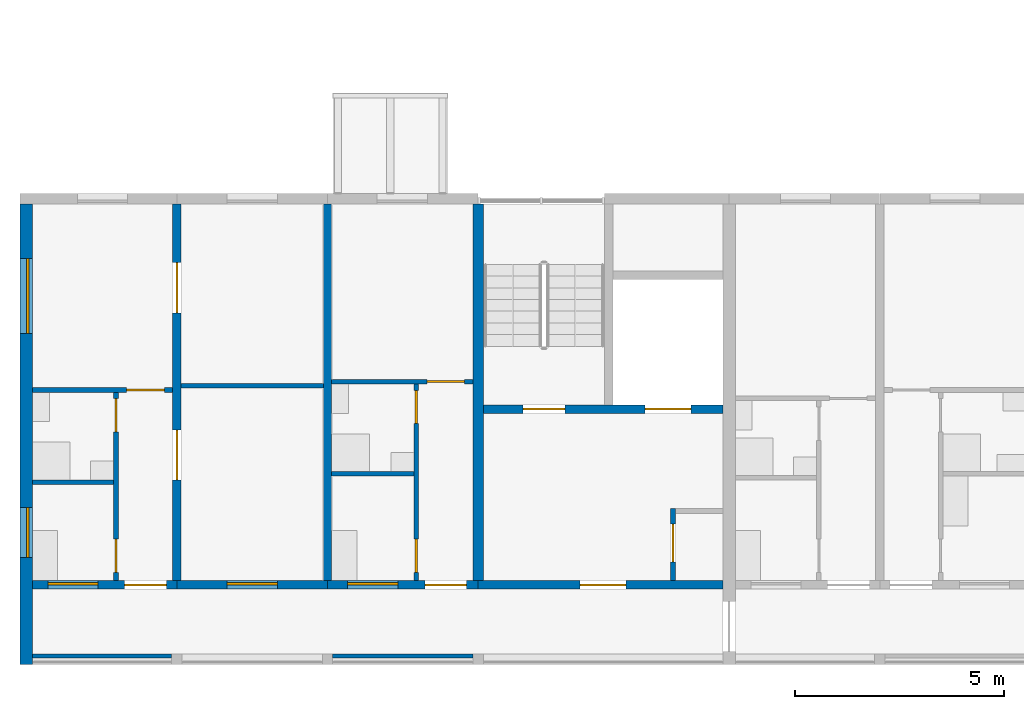
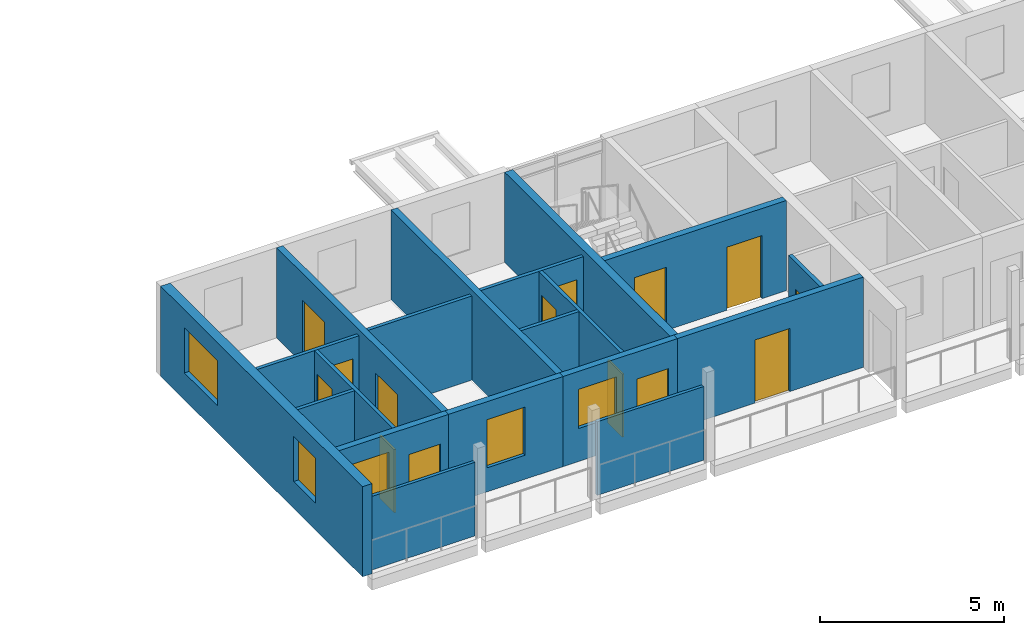
# One storey, part 29 of 93: 19 walls, 14 doors, 5 windows, 19 openings.
"""IFC4 building model written with IfcOpenShell, lengths in metres."""

from ifc_helpers import new_model, si_unit, direction, frame, frame_2d, origin, place, context, subcontext, project, spatial, rectangle, extrude, material, layer, layer_set, type_object, element, fill, save


model = new_model("IFC4")

# Units and contexts
model_context = context("Model", 3, precision=1e-05, world=origin(), true_north=direction((0.0, 1.0)))
body_context = subcontext(model_context, "Body", "Model", "MODEL_VIEW")
ifc_project = project(units=[si_unit("LENGTHUNIT", "METRE"), si_unit("AREAUNIT", "SQUARE_METRE"), si_unit("VOLUMEUNIT", "CUBIC_METRE"), si_unit("PLANEANGLEUNIT", "RADIAN"), si_unit("MASSUNIT", "GRAM", prefix="KILO")], contexts=[model_context])

# Site, building, storey
site_placement = place(None, origin())
site = spatial("IfcSite", under=ifc_project, at=site_placement, CompositionType="ELEMENT")
building_placement = place(site_placement, origin())
building = spatial("IfcBuilding", under=site, at=building_placement, Name="Ridgestep Commons", CompositionType="ELEMENT")
storey_placement = place(building_placement, frame((0.0, 0.0, 18.0)))
storey = spatial("IfcBuildingStorey", under=building, at=storey_placement, Name="L06", CompositionType="ELEMENT", Elevation=18.0)

# Wall
ifc_material_1 = material(Name="Concrete C30/37", Category="concrete")
ifc_layer_1 = layer(ifc_material_1, 0.25)
ifc_layer_set_1 = layer_set([ifc_layer_1], Name="Core cross wall 250")
wall_type_1 = type_object("IfcWallType", Name="Core cross wall 250", PredefinedType="SHEAR", material=ifc_layer_set_1)
wall_1_placement = place(storey_placement, frame((22.800048828125, 13.75, 0.0), z_axis=(0.0, 0.0, 1.0), x_axis=(0.0, 1.0, 0.0)))
element("IfcWall", 1, at=wall_1_placement, inside=storey, type_object=wall_type_1, Name="Cross wall A-06-0228", PredefinedType="SHEAR", context=body_context, shape_type="SweptSolid", body=[
    extrude(rectangle(XDim=9.0, YDim=0.25, at=frame_2d((4.5, 0.0))), origin(), (0.0, 0.0, 1.0), 3.0),
])

# Wall, opening, door
ifc_material_2 = material(Name="Concrete C30/37", Category="concrete")
ifc_layer_2 = layer(ifc_material_2, 0.199951171875)
ifc_layer_set_2 = layer_set([ifc_layer_2], Name="Core south wall 200")
wall_type_2 = type_object("IfcWallType", Name="Core south wall 200", PredefinedType="SHEAR", material=ifc_layer_set_2)
wall_2_placement = place(storey_placement, frame((22.800048828125, 13.64990234375, 0.0), z_axis=(0.0, 0.0, 1.0), x_axis=(1.0, 0.0, 0.0)))
wall_2 = element("IfcWall", 2, at=wall_2_placement, inside=storey, type_object=wall_type_2, Name="Core south wall A1C L06", PredefinedType="SHEAR", context=body_context, shape_type="SweptSolid", body=[
    extrude(rectangle(XDim=5.849853515625, YDim=0.199951171875, at=frame_2d((2.9248046875, 0.0))), origin(), (0.0, 0.0, 1.0), 3.0),
])
opening_1_placement = place(wall_2_placement, frame((2.4375, 0.0, 0.0)))
opening_1 = element("IfcOpeningElement", 3, at=opening_1_placement, cuts=wall_2, Name="Opening A1C/06/1", PredefinedType="OPENING", context=body_context, shape_type="SweptSolid", body=[
    extrude(rectangle(XDim=1.10009765625, YDim=2.10009765625, at=frame_2d((0.550048828125, 1.050048828125))), frame((0.0, 0.10986328125, 0.0), z_axis=(0.0, -1.0, 0.0), x_axis=(1.0, 0.0, 0.0)), (0.0, 0.0, 1.0), 0.219970703125),
])
ifc_material_3 = material(Name="Steel fire door", Category="steel")
door_type_1 = type_object("IfcDoorType", Name="Lobby door 1100 x 2100 FD60", OperationType="NOTDEFINED", PredefinedType="DOOR", material=ifc_material_3)
door_1_placement = place(opening_1_placement, origin())
door_1 = element("IfcDoor", 4, at=door_1_placement, inside=storey, type_object=door_type_1, Name="Lobby door A1C/06/1", OperationType="SINGLE_SWING_LEFT", OverallHeight=2.10009765625, OverallWidth=1.10009765625, PredefinedType="DOOR", context=body_context, shape_type="SweptSolid", body=[
    extrude(rectangle(XDim=1.10009765625, YDim=2.10009765625, at=frame_2d((0.550048828125, 1.050048828125))), frame((0.0, 0.02490234375, 0.0), z_axis=(0.0, -1.0, 0.0), x_axis=(1.0, 0.0, 0.0)), (0.0, 0.0, 1.0), 0.050048828125),
])
fill(opening_1, door_1)

ifc_material_4 = material(Name="Concrete C30/37", Category="concrete")
ifc_layer_3 = layer(ifc_material_4, 0.1201171875)
ifc_layer_set_3 = layer_set([ifc_layer_3], Name="Core wall 120")
wall_type_3 = type_object("IfcWallType", Name="Core wall 120", PredefinedType="SHEAR", material=ifc_layer_set_3)
wall_3_placement = place(storey_placement, frame((27.4599609375, 13.75, 0.0), z_axis=(0.0, 0.0, 1.0), x_axis=(0.0, 1.0, 0.0)))
wall_3 = element("IfcWall", 5, at=wall_3_placement, inside=storey, type_object=wall_type_3, Name="Core riser w wall A1C L06", PredefinedType="SHEAR", context=body_context, shape_type="SweptSolid", body=[
    extrude(rectangle(XDim=1.719970703125, YDim=0.1201171875, at=frame_2d((0.85986328125, 0.0))), origin(), (0.0, 0.0, 1.0), 3.0),
])
opening_2_placement = place(wall_3_placement, frame((0.449951171875, 0.0, 0.0)))
opening_2 = element("IfcOpeningElement", 6, at=opening_2_placement, cuts=wall_3, Name="Opening A1C/06/4", PredefinedType="OPENING", context=body_context, shape_type="SweptSolid", body=[
    extrude(rectangle(XDim=0.89990234375, YDim=2.10009765625, at=frame_2d((0.449951171875, 1.050048828125))), frame((0.0, 0.070068359375, 0.0), z_axis=(0.0, -1.0, 0.0), x_axis=(1.0, 0.0, 0.0)), (0.0, 0.0, 1.0), 0.14013671875),
])
ifc_material_5 = material(Name="Steel fire door", Category="steel")
door_type_2 = type_object("IfcDoorType", Name="Riser door 900 x 2100 FD60", OperationType="NOTDEFINED", PredefinedType="DOOR", material=ifc_material_5)
door_2_placement = place(opening_2_placement, origin())
door_2 = element("IfcDoor", 7, at=door_2_placement, inside=storey, type_object=door_type_2, Name="Riser door A1C/06/4", OperationType="SINGLE_SWING_LEFT", OverallHeight=2.10009765625, OverallWidth=0.89990234375, PredefinedType="DOOR", context=body_context, shape_type="SweptSolid", body=[
    extrude(rectangle(XDim=0.89990234375, YDim=2.10009765625, at=frame_2d((0.449951171875, 1.050048828125))), frame((0.0, 0.02490234375, 0.0), z_axis=(0.0, -1.0, 0.0), x_axis=(1.0, 0.0, 0.0)), (0.0, 0.0, 1.0), 0.050048828125),
])
fill(opening_2, door_2)

# Wall, openings, doors
ifc_material_6 = material(Name="Concrete C30/37", Category="concrete")
ifc_layer_4 = layer(ifc_material_6, 0.199951171875)
ifc_layer_set_4 = layer_set([ifc_layer_4], Name="Core wall 200")
wall_type_4 = type_object("IfcWallType", Name="Core wall 200", PredefinedType="SHEAR", material=ifc_layer_set_4)
wall_4_placement = place(storey_placement, frame((22.925048828125, 17.85009765625, 0.0), z_axis=(0.0, 0.0, 1.0), x_axis=(1.0, 0.0, 0.0)))
wall_4 = element("IfcWall", 8, at=wall_4_placement, inside=storey, type_object=wall_type_4, Name="Core lobby wall A1C L06", PredefinedType="SHEAR", context=body_context, shape_type="SweptSolid", body=[
    extrude(rectangle(XDim=5.724853515625, YDim=0.199951171875, at=frame_2d((2.8623046875, 0.0))), origin(), (0.0, 0.0, 1.0), 3.0),
])
opening_3_placement = place(wall_4_placement, frame((0.949951171875, 0.0, 0.0)))
opening_3 = element("IfcOpeningElement", 9, at=opening_3_placement, cuts=wall_4, Name="Opening A1C/06/2", PredefinedType="OPENING", context=body_context, shape_type="SweptSolid", body=[
    extrude(rectangle(XDim=1.0, YDim=2.10009765625, at=frame_2d((0.5, 1.050048828125))), frame((0.0, 0.10986328125, 0.0), z_axis=(0.0, -1.0, 0.0), x_axis=(1.0, 0.0, 0.0)), (0.0, 0.0, 1.0), 0.219970703125),
])
opening_4_placement = place(wall_4_placement, frame((3.862548828125, 0.0, 0.0)))
opening_4 = element("IfcOpeningElement", 10, at=opening_4_placement, cuts=wall_4, Name="Opening A1C/06/3", PredefinedType="OPENING", context=body_context, shape_type="SweptSolid", body=[
    extrude(rectangle(XDim=1.10009765625, YDim=2.10009765625, at=frame_2d((0.550048828125, 1.050048828125))), frame((0.0, 0.10986328125, 0.0), z_axis=(0.0, -1.0, 0.0), x_axis=(1.0, 0.0, 0.0)), (0.0, 0.0, 1.0), 0.219970703125),
])
ifc_material_7 = material(Name="Stainless steel", Category="steel")
door_type_3 = type_object("IfcDoorType", Name="Lift landing door 1100 x 2100 FD60", OperationType="DOUBLE_DOOR_SLIDING", PredefinedType="DOOR", material=ifc_material_7)
door_3_placement = place(opening_4_placement, origin())
door_3 = element("IfcDoor", 11, at=door_3_placement, inside=storey, type_object=door_type_3, Name="Landing door LD A1C L06", OperationType="DOUBLE_DOOR_SLIDING", OverallHeight=2.10009765625, OverallWidth=1.10009765625, PredefinedType="DOOR", context=body_context, shape_type="SweptSolid", body=[
    extrude(rectangle(XDim=1.10009765625, YDim=2.10009765625, at=frame_2d((0.550048828125, 1.050048828125))), frame((0.0, 0.02490234375, 0.0), z_axis=(0.0, -1.0, 0.0), x_axis=(1.0, 0.0, 0.0)), (0.0, 0.0, 1.0), 0.050048828125),
])
fill(opening_4, door_3)
ifc_material_8 = material(Name="Steel fire door", Category="steel")
door_type_4 = type_object("IfcDoorType", Name="Stair door 1000 x 2100 FD60", OperationType="NOTDEFINED", PredefinedType="DOOR", material=ifc_material_8)
door_4_placement = place(opening_3_placement, origin())
door_4 = element("IfcDoor", 12, at=door_4_placement, inside=storey, type_object=door_type_4, Name="Stair door A1C/06/2", OperationType="SINGLE_SWING_RIGHT", OverallHeight=2.10009765625, OverallWidth=1.0, PredefinedType="DOOR", context=body_context, shape_type="SweptSolid", body=[
    extrude(rectangle(XDim=1.0, YDim=2.10009765625, at=frame_2d((0.5, 1.050048828125))), frame((0.0, 0.02490234375, 0.0), z_axis=(0.0, -1.0, 0.0), x_axis=(1.0, 0.0, 0.0)), (0.0, 0.0, 1.0), 0.050048828125),
])
fill(opening_3, door_4)

ifc_material_9 = material(Name="Precast concrete C40/50", Category="concrete")
ifc_layer_5 = layer(ifc_material_9, 0.199951171875)
ifc_layer_set_5 = layer_set([ifc_layer_5], Name="Cross wall 200")
wall_type_5 = type_object("IfcWallType", Name="Cross wall 200", PredefinedType="SHEAR", material=ifc_layer_set_5)
wall_5_placement = place(storey_placement, frame((15.60009765625, 13.75, 0.0), z_axis=(0.0, 0.0, 1.0), x_axis=(0.0, 1.0, 0.0)))
wall_5 = element("IfcWall", 13, at=wall_5_placement, inside=storey, type_object=wall_type_5, Name="Cross wall A-06-0156", PredefinedType="SHEAR", context=body_context, shape_type="SweptSolid", body=[
    extrude(rectangle(XDim=9.0, YDim=0.199951171875, at=frame_2d((4.5, 0.0))), origin(), (0.0, 0.0, 1.0), 3.0),
])
opening_5_placement = place(wall_5_placement, frame((2.39990234375, 0.0, 0.0)))
opening_5 = element("IfcOpeningElement", 14, at=opening_5_placement, cuts=wall_5, Name="Opening A1-06a/5", PredefinedType="OPENING", context=body_context, shape_type="SweptSolid", body=[
    extrude(rectangle(XDim=1.199951171875, YDim=2.10009765625, at=frame_2d((0.60009765625, 1.050048828125))), frame((0.0, 0.10986328125, 0.0), z_axis=(0.0, -1.0, 0.0), x_axis=(1.0, 0.0, 0.0)), (0.0, 0.0, 1.0), 0.219970703125),
])
opening_6_placement = place(wall_5_placement, frame((6.39990234375, 0.0, 0.0)))
opening_6 = element("IfcOpeningElement", 15, at=opening_6_placement, cuts=wall_5, Name="Opening A1-06a/6", PredefinedType="OPENING", context=body_context, shape_type="SweptSolid", body=[
    extrude(rectangle(XDim=1.199951171875, YDim=2.10009765625, at=frame_2d((0.60009765625, 1.050048828125))), frame((0.0, 0.10986328125, 0.0), z_axis=(0.0, -1.0, 0.0), x_axis=(1.0, 0.0, 0.0)), (0.0, 0.0, 1.0), 0.219970703125),
])
ifc_material_10 = material(Name="Timber door leaf", Category="wood")
door_type_5 = type_object("IfcDoorType", Name="Double door 1200 x 2100", OperationType="DOUBLE_DOOR_SINGLE_SWING", PredefinedType="DOOR", material=ifc_material_10)
door_5_placement = place(opening_5_placement, origin())
door_5 = element("IfcDoor", 16, at=door_5_placement, inside=storey, type_object=door_type_5, Name="Double door A1-06a/5", OperationType="DOUBLE_DOOR_SINGLE_SWING", OverallHeight=2.10009765625, OverallWidth=1.199951171875, PredefinedType="DOOR", context=body_context, shape_type="SweptSolid", body=[
    extrude(rectangle(XDim=1.199951171875, YDim=2.10009765625, at=frame_2d((0.60009765625, 1.050048828125))), frame((0.0, 0.02490234375, 0.0), z_axis=(0.0, -1.0, 0.0), x_axis=(1.0, 0.0, 0.0)), (0.0, 0.0, 1.0), 0.050048828125),
])
fill(opening_5, door_5)
door_6_placement = place(opening_6_placement, origin())
door_6 = element("IfcDoor", 17, at=door_6_placement, inside=storey, type_object=door_type_5, Name="Double door A1-06a/6", OperationType="DOUBLE_DOOR_SINGLE_SWING", OverallHeight=2.10009765625, OverallWidth=1.199951171875, PredefinedType="DOOR", context=body_context, shape_type="SweptSolid", body=[
    extrude(rectangle(XDim=1.199951171875, YDim=2.10009765625, at=frame_2d((0.60009765625, 1.050048828125))), frame((0.0, 0.02490234375, 0.0), z_axis=(0.0, -1.0, 0.0), x_axis=(1.0, 0.0, 0.0)), (0.0, 0.0, 1.0), 0.050048828125),
])
fill(opening_6, door_6)

# Wall
wall_6_placement = place(storey_placement, frame((19.199951171875, 13.75, 0.0), z_axis=(0.0, 0.0, 1.0), x_axis=(0.0, 1.0, 0.0)))
element("IfcWall", 18, at=wall_6_placement, inside=storey, type_object=wall_type_5, Name="Cross wall A-06-0192", PredefinedType="SHEAR", context=body_context, shape_type="SweptSolid", body=[
    extrude(rectangle(XDim=9.0, YDim=0.199951171875, at=frame_2d((4.5, 0.0))), origin(), (0.0, 0.0, 1.0), 3.0),
])

# Wall, openings, windows
ifc_material_11 = material(Name="Precast concrete C40/50", Category="concrete")
ifc_layer_6 = layer(ifc_material_11, 0.300048828125)
ifc_layer_set_6 = layer_set([ifc_layer_6], Name="Exposed division wall 300")
wall_type_6 = type_object("IfcWallType", Name="Exposed division wall 300", PredefinedType="SHEAR", material=ifc_layer_set_6)
wall_7_placement = place(storey_placement, frame((12.0, 11.75, 0.0), z_axis=(0.0, 0.0, 1.0), x_axis=(0.0, 1.0, 0.0)))
wall_7 = element("IfcWall", 19, at=wall_7_placement, inside=storey, type_object=wall_type_6, Name="Cross wall A-06-0120", PredefinedType="SHEAR", context=body_context, shape_type="SweptSolid", body=[
    extrude(rectangle(XDim=11.0, YDim=0.300048828125, at=frame_2d((5.5, 0.0))), origin(), (0.0, 0.0, 1.0), 3.0),
])
opening_7_placement = place(wall_7_placement, frame((2.550048828125, 0.0, 0.89990234375)))
opening_7 = element("IfcOpeningElement", 20, at=opening_7_placement, cuts=wall_7, Name="Opening W10", PredefinedType="OPENING", context=body_context, shape_type="SweptSolid", body=[
    extrude(rectangle(XDim=1.199951171875, YDim=1.5, at=frame_2d((0.60009765625, 0.75))), frame((0.0, 0.159912109375, 0.0), z_axis=(0.0, -1.0, 0.0), x_axis=(1.0, 0.0, 0.0)), (0.0, 0.0, 1.0), 0.320068359375),
])
opening_8_placement = place(wall_7_placement, frame((7.905029296875, 0.0, 0.89990234375)))
opening_8 = element("IfcOpeningElement", 21, at=opening_8_placement, cuts=wall_7, Name="Opening W20", PredefinedType="OPENING", context=body_context, shape_type="SweptSolid", body=[
    extrude(rectangle(XDim=1.800048828125, YDim=1.5, at=frame_2d((0.89990234375, 0.75))), frame((0.0, 0.159912109375, 0.0), z_axis=(0.0, -1.0, 0.0), x_axis=(1.0, 0.0, 0.0)), (0.0, 0.0, 1.0), 0.320068359375),
])
ifc_material_12 = material(Name="Aluminium 6063-T6 and glass", Category="aluminium")
window_type_1 = type_object("IfcWindowType", Name="Flat window 1200 x 1500", PartitioningType="SINGLE_PANEL", PredefinedType="WINDOW", material=ifc_material_12)
window_1_placement = place(opening_7_placement, origin())
window_1 = element("IfcWindow", 22, at=window_1_placement, inside=storey, type_object=window_type_1, Name="Window A1-06a 5", OverallHeight=1.5, OverallWidth=1.199951171875, PartitioningType="SINGLE_PANEL", PredefinedType="WINDOW", context=body_context, shape_type="SweptSolid", body=[
    extrude(rectangle(XDim=1.199951171875, YDim=1.5, at=frame_2d((0.60009765625, 0.75))), frame((0.0, 0.0, 0.0), z_axis=(0.0, -1.0, 0.0), x_axis=(1.0, 0.0, 0.0)), (0.0, 0.0, 1.0), 0.06005859375),
])
fill(opening_7, window_1)
ifc_material_13 = material(Name="Aluminium 6063-T6 and glass", Category="aluminium")
window_type_2 = type_object("IfcWindowType", Name="Flat window 1800 x 1500", PartitioningType="DOUBLE_PANEL_VERTICAL", PredefinedType="WINDOW", material=ifc_material_13)
window_2_placement = place(opening_8_placement, origin())
window_2 = element("IfcWindow", 23, at=window_2_placement, inside=storey, type_object=window_type_2, Name="Window A1-06a 6", OverallHeight=1.5, OverallWidth=1.800048828125, PartitioningType="SINGLE_PANEL", PredefinedType="WINDOW", context=body_context, shape_type="SweptSolid", body=[
    extrude(rectangle(XDim=1.800048828125, YDim=1.5, at=frame_2d((0.89990234375, 0.75))), frame((0.0, 0.0, 0.0), z_axis=(0.0, -1.0, 0.0), x_axis=(1.0, 0.0, 0.0)), (0.0, 0.0, 1.0), 0.06005859375),
])
fill(opening_8, window_2)

# Wall
ifc_material_14 = material(Name="Common brick 110 mm", Category="masonry")
ifc_layer_7 = layer(ifc_material_14, 0.110107421875)
ifc_layer_set_7 = layer_set([ifc_layer_7], Name="Partition 110")
wall_type_7 = type_object("IfcWallType", Name="Partition 110", PredefinedType="PARTITIONING", material=ifc_layer_set_7)
wall_8_placement = place(storey_placement, frame((12.14990234375, 16.10498046875, 0.0), z_axis=(0.0, 0.0, 1.0), x_axis=(1.0, 0.0, 0.0)))
element("IfcWall", 24, at=wall_8_placement, inside=storey, type_object=wall_type_7, Name="Partition A1-06a", PredefinedType="PARTITIONING", context=body_context, shape_type="SweptSolid", body=[
    extrude(rectangle(XDim=1.940185546875, YDim=0.110107421875, at=frame_2d((0.97021484375, 0.0))), origin(), (0.0, 0.0, 1.0), 2.800048828125),
])

# Wall, openings, doors
wall_9_placement = place(storey_placement, frame((14.14501953125, 13.75, 0.0), z_axis=(0.0, 0.0, 1.0), x_axis=(0.0, 1.0, 0.0)))
wall_9 = element("IfcWall", 25, at=wall_9_placement, inside=storey, type_object=wall_type_7, Name="Partition A1-06a", PredefinedType="PARTITIONING", context=body_context, shape_type="SweptSolid", body=[
    extrude(rectangle(XDim=4.5, YDim=0.110107421875, at=frame_2d((2.25, 0.0))), origin(), (0.0, 0.0, 1.0), 2.800048828125),
])
opening_9_placement = place(wall_9_placement, frame((0.199951171875, 0.0, 0.0)))
opening_9 = element("IfcOpeningElement", 26, at=opening_9_placement, cuts=wall_9, Name="Opening A1-06a/2", PredefinedType="OPENING", context=body_context, shape_type="SweptSolid", body=[
    extrude(rectangle(XDim=0.800048828125, YDim=2.10009765625, at=frame_2d((0.39990234375, 1.050048828125))), frame((0.0, 0.06494140625, 0.0), z_axis=(0.0, -1.0, 0.0), x_axis=(1.0, 0.0, 0.0)), (0.0, 0.0, 1.0), 0.130126953125),
])
opening_10_placement = place(wall_9_placement, frame((3.550048828125, 0.0, 0.0)))
opening_10 = element("IfcOpeningElement", 27, at=opening_10_placement, cuts=wall_9, Name="Opening A1-06a/3", PredefinedType="OPENING", context=body_context, shape_type="SweptSolid", body=[
    extrude(rectangle(XDim=0.800048828125, YDim=2.10009765625, at=frame_2d((0.39990234375, 1.050048828125))), frame((0.0, 0.06494140625, 0.0), z_axis=(0.0, -1.0, 0.0), x_axis=(1.0, 0.0, 0.0)), (0.0, 0.0, 1.0), 0.130126953125),
])
ifc_material_15 = material(Name="Timber door leaf", Category="wood")
door_type_6 = type_object("IfcDoorType", Name="Internal door 800 x 2100", OperationType="NOTDEFINED", PredefinedType="DOOR", material=ifc_material_15)
door_7_placement = place(opening_9_placement, origin())
door_7 = element("IfcDoor", 28, at=door_7_placement, inside=storey, type_object=door_type_6, Name="Internal door A1-06a/2", OperationType="SINGLE_SWING_LEFT", OverallHeight=2.10009765625, OverallWidth=0.800048828125, PredefinedType="DOOR", context=body_context, shape_type="SweptSolid", body=[
    extrude(rectangle(XDim=0.800048828125, YDim=2.10009765625, at=frame_2d((0.39990234375, 1.050048828125))), frame((0.0, 0.02490234375, 0.0), z_axis=(0.0, -1.0, 0.0), x_axis=(1.0, 0.0, 0.0)), (0.0, 0.0, 1.0), 0.050048828125),
])
fill(opening_9, door_7)
door_8_placement = place(opening_10_placement, origin())
door_8 = element("IfcDoor", 29, at=door_8_placement, inside=storey, type_object=door_type_6, Name="Internal door A1-06a/3", OperationType="SINGLE_SWING_RIGHT", OverallHeight=2.10009765625, OverallWidth=0.800048828125, PredefinedType="DOOR", context=body_context, shape_type="SweptSolid", body=[
    extrude(rectangle(XDim=0.800048828125, YDim=2.10009765625, at=frame_2d((0.39990234375, 1.050048828125))), frame((0.0, 0.02490234375, 0.0), z_axis=(0.0, -1.0, 0.0), x_axis=(1.0, 0.0, 0.0)), (0.0, 0.0, 1.0), 0.050048828125),
])
fill(opening_10, door_8)

# Wall, opening, door
wall_10_placement = place(storey_placement, frame((12.14990234375, 18.304931640625, 0.0), z_axis=(0.0, 0.0, 1.0), x_axis=(1.0, 0.0, 0.0)))
wall_10 = element("IfcWall", 30, at=wall_10_placement, inside=storey, type_object=wall_type_7, Name="Partition A1-06a", PredefinedType="PARTITIONING", context=body_context, shape_type="SweptSolid", body=[
    extrude(rectangle(XDim=3.35009765625, YDim=0.110107421875, at=frame_2d((1.675048828125, 0.0))), origin(), (0.0, 0.0, 1.0), 2.800048828125),
])
opening_11_placement = place(wall_10_placement, frame((2.25, 0.0, 0.0)))
opening_11 = element("IfcOpeningElement", 31, at=opening_11_placement, cuts=wall_10, Name="Opening A1-06a/4", PredefinedType="OPENING", context=body_context, shape_type="SweptSolid", body=[
    extrude(rectangle(XDim=0.89990234375, YDim=2.10009765625, at=frame_2d((0.449951171875, 1.050048828125))), frame((0.0, 0.06494140625, 0.0), z_axis=(0.0, -1.0, 0.0), x_axis=(1.0, 0.0, 0.0)), (0.0, 0.0, 1.0), 0.130126953125),
])
ifc_material_16 = material(Name="Timber door leaf", Category="wood")
door_type_7 = type_object("IfcDoorType", Name="Internal door 900 x 2100", OperationType="NOTDEFINED", PredefinedType="DOOR", material=ifc_material_16)
door_9_placement = place(opening_11_placement, origin())
door_9 = element("IfcDoor", 32, at=door_9_placement, inside=storey, type_object=door_type_7, Name="Internal door A1-06a/4", OperationType="SINGLE_SWING_LEFT", OverallHeight=2.10009765625, OverallWidth=0.89990234375, PredefinedType="DOOR", context=body_context, shape_type="SweptSolid", body=[
    extrude(rectangle(XDim=0.89990234375, YDim=2.10009765625, at=frame_2d((0.449951171875, 1.050048828125))), frame((0.0, 0.02490234375, 0.0), z_axis=(0.0, -1.0, 0.0), x_axis=(1.0, 0.0, 0.0)), (0.0, 0.0, 1.0), 0.050048828125),
])
fill(opening_11, door_9)

# Walls
wall_11_placement = place(storey_placement, frame((15.699951171875, 18.405029296875, 0.0), z_axis=(0.0, 0.0, 1.0), x_axis=(1.0, 0.0, 0.0)))
element("IfcWall", 33, at=wall_11_placement, inside=storey, type_object=wall_type_7, Name="Partition A1-06a", PredefinedType="PARTITIONING", context=body_context, shape_type="SweptSolid", body=[
    extrude(rectangle(XDim=3.400146484375, YDim=0.110107421875, at=frame_2d((1.7001953125, 0.0))), origin(), (0.0, 0.0, 1.0), 2.800048828125),
])
wall_12_placement = place(storey_placement, frame((19.300048828125, 16.304931640625, 0.0), z_axis=(0.0, 0.0, 1.0), x_axis=(1.0, 0.0, 0.0)))
element("IfcWall", 34, at=wall_12_placement, inside=storey, type_object=wall_type_7, Name="Partition A1-06b", PredefinedType="PARTITIONING", context=body_context, shape_type="SweptSolid", body=[
    extrude(rectangle(XDim=1.96484375, YDim=0.110107421875, at=frame_2d((0.982421875, 0.0))), origin(), (0.0, 0.0, 1.0), 2.800048828125),
])

# Wall, openings, doors
wall_13_placement = place(storey_placement, frame((21.320068359375, 13.75, 0.0), z_axis=(0.0, 0.0, 1.0), x_axis=(0.0, 1.0, 0.0)))
wall_13 = element("IfcWall", 35, at=wall_13_placement, inside=storey, type_object=wall_type_7, Name="Partition A1-06b", PredefinedType="PARTITIONING", context=body_context, shape_type="SweptSolid", body=[
    extrude(rectangle(XDim=4.699951171875, YDim=0.110107421875, at=frame_2d((2.35009765625, 0.0))), origin(), (0.0, 0.0, 1.0), 2.800048828125),
])
opening_12_placement = place(wall_13_placement, frame((0.199951171875, 0.0, 0.0)))
opening_12 = element("IfcOpeningElement", 36, at=opening_12_placement, cuts=wall_13, Name="Opening A1-06b/2", PredefinedType="OPENING", context=body_context, shape_type="SweptSolid", body=[
    extrude(rectangle(XDim=0.800048828125, YDim=2.10009765625, at=frame_2d((0.39990234375, 1.050048828125))), frame((0.0, 0.06494140625, 0.0), z_axis=(0.0, -1.0, 0.0), x_axis=(1.0, 0.0, 0.0)), (0.0, 0.0, 1.0), 0.130126953125),
])
opening_13_placement = place(wall_13_placement, frame((3.75, 0.0, 0.0)))
opening_13 = element("IfcOpeningElement", 37, at=opening_13_placement, cuts=wall_13, Name="Opening A1-06b/3", PredefinedType="OPENING", context=body_context, shape_type="SweptSolid", body=[
    extrude(rectangle(XDim=0.800048828125, YDim=2.10009765625, at=frame_2d((0.39990234375, 1.050048828125))), frame((0.0, 0.06494140625, 0.0), z_axis=(0.0, -1.0, 0.0), x_axis=(1.0, 0.0, 0.0)), (0.0, 0.0, 1.0), 0.130126953125),
])
door_10_placement = place(opening_12_placement, origin())
door_10 = element("IfcDoor", 38, at=door_10_placement, inside=storey, type_object=door_type_6, Name="Internal door A1-06b/2", OperationType="SINGLE_SWING_LEFT", OverallHeight=2.10009765625, OverallWidth=0.800048828125, PredefinedType="DOOR", context=body_context, shape_type="SweptSolid", body=[
    extrude(rectangle(XDim=0.800048828125, YDim=2.10009765625, at=frame_2d((0.39990234375, 1.050048828125))), frame((0.0, 0.02490234375, 0.0), z_axis=(0.0, -1.0, 0.0), x_axis=(1.0, 0.0, 0.0)), (0.0, 0.0, 1.0), 0.050048828125),
])
fill(opening_12, door_10)
door_11_placement = place(opening_13_placement, origin())
door_11 = element("IfcDoor", 39, at=door_11_placement, inside=storey, type_object=door_type_6, Name="Internal door A1-06b/3", OperationType="SINGLE_SWING_RIGHT", OverallHeight=2.10009765625, OverallWidth=0.800048828125, PredefinedType="DOOR", context=body_context, shape_type="SweptSolid", body=[
    extrude(rectangle(XDim=0.800048828125, YDim=2.10009765625, at=frame_2d((0.39990234375, 1.050048828125))), frame((0.0, 0.02490234375, 0.0), z_axis=(0.0, -1.0, 0.0), x_axis=(1.0, 0.0, 0.0)), (0.0, 0.0, 1.0), 0.050048828125),
])
fill(opening_13, door_11)

# Wall, opening, door
wall_14_placement = place(storey_placement, frame((19.300048828125, 18.5048828125, 0.0), z_axis=(0.0, 0.0, 1.0), x_axis=(1.0, 0.0, 0.0)))
wall_14 = element("IfcWall", 40, at=wall_14_placement, inside=storey, type_object=wall_type_7, Name="Partition A1-06b", PredefinedType="PARTITIONING", context=body_context, shape_type="SweptSolid", body=[
    extrude(rectangle(XDim=3.375, YDim=0.110107421875, at=frame_2d((1.6875, 0.0))), origin(), (0.0, 0.0, 1.0), 2.800048828125),
])
opening_14_placement = place(wall_14_placement, frame((2.27490234375, 0.0, 0.0)))
opening_14 = element("IfcOpeningElement", 41, at=opening_14_placement, cuts=wall_14, Name="Opening A1-06b/4", PredefinedType="OPENING", context=body_context, shape_type="SweptSolid", body=[
    extrude(rectangle(XDim=0.89990234375, YDim=2.10009765625, at=frame_2d((0.449951171875, 1.050048828125))), frame((0.0, 0.06494140625, 0.0), z_axis=(0.0, -1.0, 0.0), x_axis=(1.0, 0.0, 0.0)), (0.0, 0.0, 1.0), 0.130126953125),
])
door_12_placement = place(opening_14_placement, origin())
door_12 = element("IfcDoor", 42, at=door_12_placement, inside=storey, type_object=door_type_7, Name="Internal door A1-06b/4", OperationType="SINGLE_SWING_LEFT", OverallHeight=2.10009765625, OverallWidth=0.89990234375, PredefinedType="DOOR", context=body_context, shape_type="SweptSolid", body=[
    extrude(rectangle(XDim=0.89990234375, YDim=2.10009765625, at=frame_2d((0.449951171875, 1.050048828125))), frame((0.0, 0.02490234375, 0.0), z_axis=(0.0, -1.0, 0.0), x_axis=(1.0, 0.0, 0.0)), (0.0, 0.0, 1.0), 0.050048828125),
])
fill(opening_14, door_12)

# Walls
ifc_material_17 = material(Name="Precast concrete C30/37", Category="concrete")
ifc_layer_8 = layer(ifc_material_17, 0.10009765625)
ifc_layer_set_8 = layer_set([ifc_layer_8], Name="Perforated gallery screen 3325 x 2450 x 100")
wall_type_8 = type_object("IfcWallType", Name="Perforated gallery screen 3325 x 2450 x 100", PredefinedType="SOLIDWALL", material=ifc_layer_set_8)
wall_15_placement = place(storey_placement, frame((12.14990234375, 11.949951171875, 0.0), z_axis=(0.0, 0.0, 1.0), x_axis=(1.0, 0.0, 0.0)))
element("IfcWall", 43, at=wall_15_placement, inside=storey, type_object=wall_type_8, Name="Gallery screen A1T1 06", PredefinedType="SOLIDWALL", context=body_context, shape_type="SweptSolid", body=[
    extrude(rectangle(XDim=3.3251953125, YDim=0.10009765625, at=frame_2d((1.66259765625, 0.0))), origin(), (0.0, 0.0, 1.0), 2.449951171875),
])
ifc_material_18 = material(Name="Precast concrete C30/37", Category="concrete")
ifc_layer_9 = layer(ifc_material_18, 0.10009765625)
ifc_layer_set_9 = layer_set([ifc_layer_9], Name="Perforated gallery screen 3350 x 2450 x 100")
wall_type_9 = type_object("IfcWallType", Name="Perforated gallery screen 3350 x 2450 x 100", PredefinedType="SOLIDWALL", material=ifc_layer_set_9)
wall_16_placement = place(storey_placement, frame((19.324951171875, 11.949951171875, 0.0), z_axis=(0.0, 0.0, 1.0), x_axis=(1.0, 0.0, 0.0)))
element("IfcWall", 44, at=wall_16_placement, inside=storey, type_object=wall_type_9, Name="Gallery screen A1T3 06", PredefinedType="SOLIDWALL", context=body_context, shape_type="SweptSolid", body=[
    extrude(rectangle(XDim=3.35009765625, YDim=0.10009765625, at=frame_2d((1.675048828125, 0.0))), origin(), (0.0, 0.0, 1.0), 2.449951171875),
])

# Wall, openings, door, window
ifc_material_19 = material(Name="Precast concrete C40/50", Category="concrete")
ifc_layer_10 = layer(ifc_material_19, 0.199951171875)
ifc_layer_set_10 = layer_set([ifc_layer_10], Name="South facade panel 200")
wall_type_10 = type_object("IfcWallType", Name="South facade panel 200", PredefinedType="SOLIDWALL", material=ifc_layer_set_10)
wall_17_placement = place(storey_placement, frame((12.14990234375, 13.64990234375, 0.0), z_axis=(0.0, 0.0, 1.0), x_axis=(1.0, 0.0, 0.0)))
wall_17 = element("IfcWall", 45, at=wall_17_placement, inside=storey, type_object=wall_type_10, Name="South panel A1T1 L06", PredefinedType="SOLIDWALL", context=body_context, shape_type="SweptSolid", body=[
    extrude(rectangle(XDim=3.4501953125, YDim=0.199951171875, at=frame_2d((1.72509765625, 0.0))), origin(), (0.0, 0.0, 1.0), 3.0),
])
opening_15_placement = place(wall_17_placement, frame((0.3701171875, 0.0, 1.10009765625)))
opening_15 = element("IfcOpeningElement", 46, at=opening_15_placement, cuts=wall_17, Name="Opening W08", PredefinedType="OPENING", context=body_context, shape_type="SweptSolid", body=[
    extrude(rectangle(XDim=1.199951171875, YDim=1.300048828125, at=frame_2d((0.60009765625, 0.64990234375))), frame((0.0, 0.10986328125, 0.0), z_axis=(0.0, -1.0, 0.0), x_axis=(1.0, 0.0, 0.0)), (0.0, 0.0, 1.0), 0.219970703125),
])
opening_16_placement = place(wall_17_placement, frame((2.199951171875, 0.0, 0.0)))
opening_16 = element("IfcOpeningElement", 47, at=opening_16_placement, cuts=wall_17, Name="Opening A1-06a/1", PredefinedType="OPENING", context=body_context, shape_type="SweptSolid", body=[
    extrude(rectangle(XDim=1.0, YDim=2.10009765625, at=frame_2d((0.5, 1.050048828125))), frame((0.0, 0.10986328125, 0.0), z_axis=(0.0, -1.0, 0.0), x_axis=(1.0, 0.0, 0.0)), (0.0, 0.0, 1.0), 0.219970703125),
])
ifc_material_20 = material(Name="Timber door leaf", Category="wood")
door_type_8 = type_object("IfcDoorType", Name="Flat entrance door 1000 x 2100 FD30S", OperationType="NOTDEFINED", PredefinedType="DOOR", material=ifc_material_20)
door_13_placement = place(opening_16_placement, origin())
door_13 = element("IfcDoor", 48, at=door_13_placement, inside=storey, type_object=door_type_8, Name="Flat entrance door A1-06a/1", OperationType="SINGLE_SWING_RIGHT", OverallHeight=2.10009765625, OverallWidth=1.0, PredefinedType="DOOR", context=body_context, shape_type="SweptSolid", body=[
    extrude(rectangle(XDim=1.0, YDim=2.10009765625, at=frame_2d((0.5, 1.050048828125))), frame((0.0, 0.02490234375, 0.0), z_axis=(0.0, -1.0, 0.0), x_axis=(1.0, 0.0, 0.0)), (0.0, 0.0, 1.0), 0.050048828125),
])
fill(opening_16, door_13)
ifc_material_21 = material(Name="Aluminium 6063-T6 and glass", Category="aluminium")
window_type_3 = type_object("IfcWindowType", Name="Flat window 1200 x 1300", PartitioningType="SINGLE_PANEL", PredefinedType="WINDOW", material=ifc_material_21)
window_3_placement = place(opening_15_placement, origin())
window_3 = element("IfcWindow", 49, at=window_3_placement, inside=storey, type_object=window_type_3, Name="Window A1-06a 3", OverallHeight=1.300048828125, OverallWidth=1.199951171875, PartitioningType="SINGLE_PANEL", PredefinedType="WINDOW", context=body_context, shape_type="SweptSolid", body=[
    extrude(rectangle(XDim=1.199951171875, YDim=1.300048828125, at=frame_2d((0.60009765625, 0.64990234375))), frame((0.0, 0.06005859375, 0.0), z_axis=(0.0, -1.0, 0.0), x_axis=(1.0, 0.0, 0.0)), (0.0, 0.0, 1.0), 0.06005859375),
])
fill(opening_15, window_3)

# Wall, opening, window
wall_18_placement = place(storey_placement, frame((15.60009765625, 13.64990234375, 0.0), z_axis=(0.0, 0.0, 1.0), x_axis=(1.0, 0.0, 0.0)))
wall_18 = element("IfcWall", 50, at=wall_18_placement, inside=storey, type_object=wall_type_10, Name="South panel A1T2 L06", PredefinedType="SOLIDWALL", context=body_context, shape_type="SweptSolid", body=[
    extrude(rectangle(XDim=3.599853515625, YDim=0.199951171875, at=frame_2d((1.7998046875, 0.0))), origin(), (0.0, 0.0, 1.0), 3.0),
])
opening_17_placement = place(wall_18_placement, frame((1.199951171875, 0.0, 0.800048828125)))
opening_17 = element("IfcOpeningElement", 51, at=opening_17_placement, cuts=wall_18, Name="Opening W11", PredefinedType="OPENING", context=body_context, shape_type="SweptSolid", body=[
    extrude(rectangle(XDim=1.199951171875, YDim=1.60009765625, at=frame_2d((0.60009765625, 0.800048828125))), frame((0.0, 0.10986328125, 0.0), z_axis=(0.0, -1.0, 0.0), x_axis=(1.0, 0.0, 0.0)), (0.0, 0.0, 1.0), 0.219970703125),
])
ifc_material_22 = material(Name="Aluminium 6063-T6 and glass", Category="aluminium")
window_type_4 = type_object("IfcWindowType", Name="Flat window 1200 x 1600", PartitioningType="SINGLE_PANEL", PredefinedType="WINDOW", material=ifc_material_22)
window_4_placement = place(opening_17_placement, origin())
window_4 = element("IfcWindow", 52, at=window_4_placement, inside=storey, type_object=window_type_4, Name="Window A1-06a 1", OverallHeight=1.60009765625, OverallWidth=1.199951171875, PartitioningType="SINGLE_PANEL", PredefinedType="WINDOW", context=body_context, shape_type="SweptSolid", body=[
    extrude(rectangle(XDim=1.199951171875, YDim=1.60009765625, at=frame_2d((0.60009765625, 0.800048828125))), frame((0.0, 0.06005859375, 0.0), z_axis=(0.0, -1.0, 0.0), x_axis=(1.0, 0.0, 0.0)), (0.0, 0.0, 1.0), 0.06005859375),
])
fill(opening_17, window_4)

# Wall, openings, door, window
wall_19_placement = place(storey_placement, frame((19.199951171875, 13.64990234375, 0.0), z_axis=(0.0, 0.0, 1.0), x_axis=(1.0, 0.0, 0.0)))
wall_19 = element("IfcWall", 53, at=wall_19_placement, inside=storey, type_object=wall_type_10, Name="South panel A1T3 L06", PredefinedType="SOLIDWALL", context=body_context, shape_type="SweptSolid", body=[
    extrude(rectangle(XDim=3.60009765625, YDim=0.199951171875, at=frame_2d((1.800048828125, 0.0))), origin(), (0.0, 0.0, 1.0), 3.0),
])
opening_18_placement = place(wall_19_placement, frame((0.482421875, 0.0, 1.10009765625)))
opening_18 = element("IfcOpeningElement", 54, at=opening_18_placement, cuts=wall_19, Name="Opening W08", PredefinedType="OPENING", context=body_context, shape_type="SweptSolid", body=[
    extrude(rectangle(XDim=1.199951171875, YDim=1.300048828125, at=frame_2d((0.60009765625, 0.64990234375))), frame((0.0, 0.10986328125, 0.0), z_axis=(0.0, -1.0, 0.0), x_axis=(1.0, 0.0, 0.0)), (0.0, 0.0, 1.0), 0.219970703125),
])
opening_19_placement = place(wall_19_placement, frame((2.324951171875, 0.0, 0.0)))
opening_19 = element("IfcOpeningElement", 55, at=opening_19_placement, cuts=wall_19, Name="Opening A1-06b/1", PredefinedType="OPENING", context=body_context, shape_type="SweptSolid", body=[
    extrude(rectangle(XDim=1.0, YDim=2.10009765625, at=frame_2d((0.5, 1.050048828125))), frame((0.0, 0.10986328125, 0.0), z_axis=(0.0, -1.0, 0.0), x_axis=(1.0, 0.0, 0.0)), (0.0, 0.0, 1.0), 0.219970703125),
])
door_14_placement = place(opening_19_placement, origin())
door_14 = element("IfcDoor", 56, at=door_14_placement, inside=storey, type_object=door_type_8, Name="Flat entrance door A1-06b/1", OperationType="SINGLE_SWING_RIGHT", OverallHeight=2.10009765625, OverallWidth=1.0, PredefinedType="DOOR", context=body_context, shape_type="SweptSolid", body=[
    extrude(rectangle(XDim=1.0, YDim=2.10009765625, at=frame_2d((0.5, 1.050048828125))), frame((0.0, 0.02490234375, 0.0), z_axis=(0.0, -1.0, 0.0), x_axis=(1.0, 0.0, 0.0)), (0.0, 0.0, 1.0), 0.050048828125),
])
fill(opening_19, door_14)
window_5_placement = place(opening_18_placement, origin())
window_5 = element("IfcWindow", 57, at=window_5_placement, inside=storey, type_object=window_type_3, Name="Window A1-06b 1", OverallHeight=1.300048828125, OverallWidth=1.199951171875, PartitioningType="SINGLE_PANEL", PredefinedType="WINDOW", context=body_context, shape_type="SweptSolid", body=[
    extrude(rectangle(XDim=1.199951171875, YDim=1.300048828125, at=frame_2d((0.60009765625, 0.64990234375))), frame((0.0, 0.06005859375, 0.0), z_axis=(0.0, -1.0, 0.0), x_axis=(1.0, 0.0, 0.0)), (0.0, 0.0, 1.0), 0.06005859375),
])
fill(opening_18, window_5)

save(model, "model.ifc")
